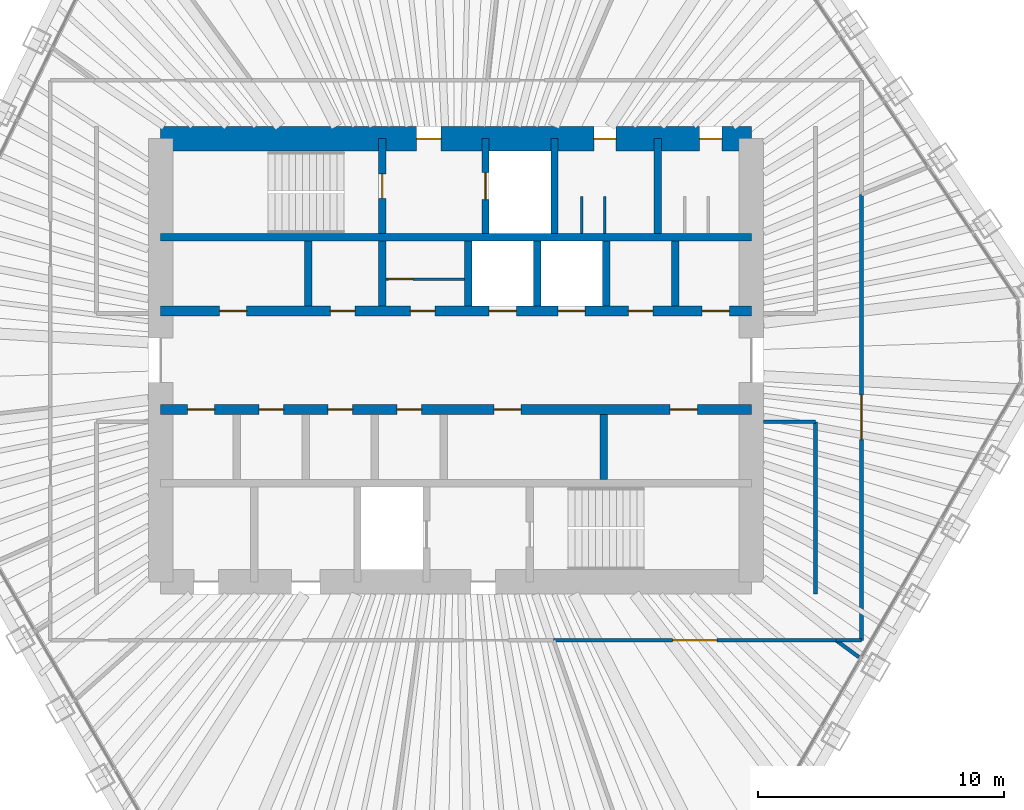
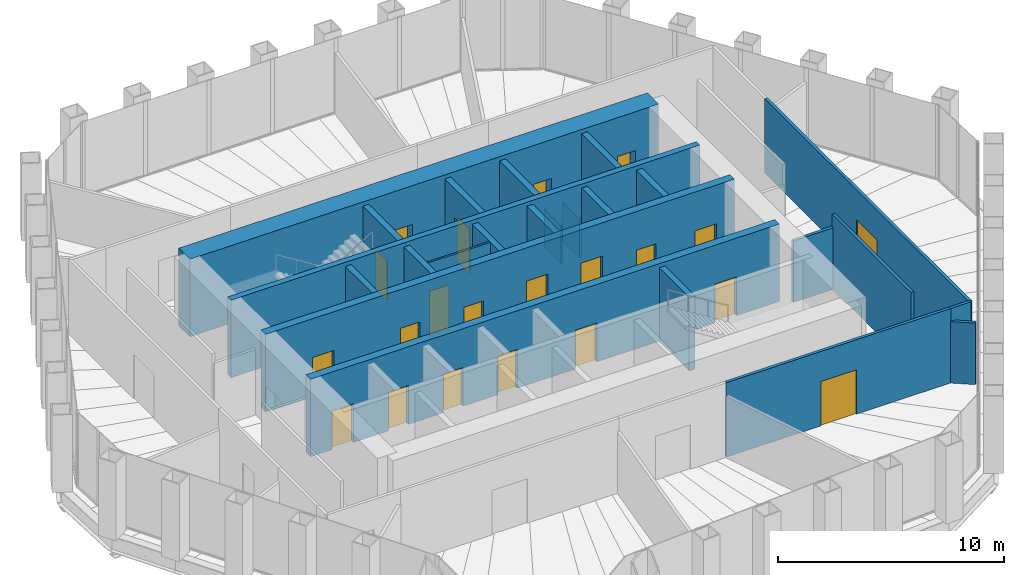
# One storey, part 12 of 14: 24 walls, 21 doors, 21 openings.
"""IFC4 building model written with IfcOpenShell, lengths in metres."""

from ifc_helpers import new_model, si_unit, direction, frame, frame_2d, origin, place, context, subcontext, project, spatial, rectangle, extrude, material, layer, layer_set, type_object, element, fill, save


model = new_model("IFC4")

# Units and contexts
model_context = context("Model", 3, precision=1e-05, world=origin(), true_north=direction((0.0, 1.0)))
body_context = subcontext(model_context, "Body", "Model", "MODEL_VIEW")
ifc_project = project(units=[si_unit("LENGTHUNIT", "METRE"), si_unit("AREAUNIT", "SQUARE_METRE"), si_unit("VOLUMEUNIT", "CUBIC_METRE"), si_unit("PLANEANGLEUNIT", "RADIAN"), si_unit("MASSUNIT", "GRAM", prefix="KILO")], contexts=[model_context])

# Site, building, storey
site_placement = place(None, origin())
site = spatial("IfcSite", under=ifc_project, at=site_placement, CompositionType="ELEMENT")
building_placement = place(site_placement, origin())
building = spatial("IfcBuilding", under=site, at=building_placement, Name="Qingtian Harvest Tower", CompositionType="ELEMENT")
storey_placement = place(building_placement, frame((0.0, 0.0, 287.199951171875)))
storey = spatial("IfcBuildingStorey", under=building, at=storey_placement, Name="L63", CompositionType="ELEMENT", Elevation=287.199951171875)

# Wall
ifc_material_1 = material(Name="Concrete fc' 70 MPa", Category="concrete")
ifc_layer_1 = layer(ifc_material_1, 0.300048828125)
ifc_layer_set_1 = layer_set([ifc_layer_1], Name="Core inner wall RC5 300")
wall_type_1 = type_object("IfcWallType", Name="Core inner wall RC5 300", PredefinedType="SHEAR", material=ifc_layer_set_1)
wall_1_placement = place(storey_placement, frame((-12.0, 5.0, 0.0), z_axis=(0.0, 0.0, 1.0), x_axis=(1.0, 0.0, 0.0)))
element("IfcWall", 1, at=wall_1_placement, inside=storey, type_object=wall_type_1, Name="Core wall IN5 L63", PredefinedType="SHEAR", context=body_context, shape_type="SweptSolid", body=[
    extrude(rectangle(XDim=24.0, YDim=0.300048828125, at=frame_2d((12.0, 0.0))), origin(), (0.0, 0.0, 1.0), 4.199951171875),
])

# Wall, openings, doors
ifc_material_2 = material(Name="Concrete fc' 70 MPa", Category="concrete")
ifc_layer_2 = layer(ifc_material_2, 0.39990234375)
ifc_layer_set_2 = layer_set([ifc_layer_2], Name="Core inner web RC6 400")
wall_type_2 = type_object("IfcWallType", Name="Core inner web RC6 400", PredefinedType="SHEAR", material=ifc_layer_set_2)
wall_2_placement = place(storey_placement, frame((-12.0, 2.0, 0.0), z_axis=(0.0, 0.0, 1.0), x_axis=(1.0, 0.0, 0.0)))
wall_2 = element("IfcWall", 2, at=wall_2_placement, inside=storey, type_object=wall_type_2, Name="Core wall IN2 L63", PredefinedType="SHEAR", context=body_context, shape_type="SweptSolid", body=[
    extrude(rectangle(XDim=24.0, YDim=0.39990234375, at=frame_2d((12.0, 0.0))), origin(), (0.0, 0.0, 1.0), 4.199951171875),
])
opening_1_placement = place(wall_2_placement, frame((2.39990234375, 0.0, 0.0)))
opening_1 = element("IfcOpeningElement", 3, at=opening_1_placement, cuts=wall_2, Name="Opening FD4", PredefinedType="OPENING", context=body_context, shape_type="SweptSolid", body=[
    extrude(rectangle(XDim=1.10009765625, YDim=2.10009765625, at=frame_2d((0.550048828125, 1.050048828125))), frame((0.0, 0.2099609375, 0.0), z_axis=(0.0, -1.0, 0.0), x_axis=(1.0, 0.0, 0.0)), (0.0, 0.0, 1.0), 0.419921875),
])
opening_2_placement = place(wall_2_placement, frame((22.0, 0.0, 0.0)))
opening_2 = element("IfcOpeningElement", 4, at=opening_2_placement, cuts=wall_2, Name="Opening FD4", PredefinedType="OPENING", context=body_context, shape_type="SweptSolid", body=[
    extrude(rectangle(XDim=1.10009765625, YDim=2.10009765625, at=frame_2d((0.550048828125, 1.050048828125))), frame((0.0, 0.2099609375, 0.0), z_axis=(0.0, -1.0, 0.0), x_axis=(1.0, 0.0, 0.0)), (0.0, 0.0, 1.0), 0.419921875),
])
opening_3_placement = place(wall_2_placement, frame((10.14990234375, 0.0, 0.0)))
opening_3 = element("IfcOpeningElement", 5, at=opening_3_placement, cuts=wall_2, Name="Opening FD1", PredefinedType="OPENING", context=body_context, shape_type="SweptSolid", body=[
    extrude(rectangle(XDim=1.0, YDim=2.10009765625, at=frame_2d((0.5, 1.050048828125))), frame((0.0, 0.2099609375, 0.0), z_axis=(0.0, -1.0, 0.0), x_axis=(1.0, 0.0, 0.0)), (0.0, 0.0, 1.0), 0.419921875),
])
opening_4_placement = place(wall_2_placement, frame((6.89990234375, 0.0, 0.0)))
opening_4 = element("IfcOpeningElement", 6, at=opening_4_placement, cuts=wall_2, Name="Opening FD1", PredefinedType="OPENING", context=body_context, shape_type="SweptSolid", body=[
    extrude(rectangle(XDim=1.0, YDim=2.10009765625, at=frame_2d((0.5, 1.050048828125))), frame((0.0, 0.2099609375, 0.0), z_axis=(0.0, -1.0, 0.0), x_axis=(1.0, 0.0, 0.0)), (0.0, 0.0, 1.0), 0.419921875),
])
opening_5_placement = place(wall_2_placement, frame((13.35009765625, 0.0, 0.0)))
opening_5 = element("IfcOpeningElement", 7, at=opening_5_placement, cuts=wall_2, Name="Opening LD1", PredefinedType="OPENING", context=body_context, shape_type="SweptSolid", body=[
    extrude(rectangle(XDim=1.10009765625, YDim=2.39990234375, at=frame_2d((0.550048828125, 1.199951171875))), frame((0.0, 0.2099609375, 0.0), z_axis=(0.0, -1.0, 0.0), x_axis=(1.0, 0.0, 0.0)), (0.0, 0.0, 1.0), 0.419921875),
])
opening_6_placement = place(wall_2_placement, frame((16.14990234375, 0.0, 0.0)))
opening_6 = element("IfcOpeningElement", 8, at=opening_6_placement, cuts=wall_2, Name="Opening LD1", PredefinedType="OPENING", context=body_context, shape_type="SweptSolid", body=[
    extrude(rectangle(XDim=1.10009765625, YDim=2.39990234375, at=frame_2d((0.550048828125, 1.199951171875))), frame((0.0, 0.2099609375, 0.0), z_axis=(0.0, -1.0, 0.0), x_axis=(1.0, 0.0, 0.0)), (0.0, 0.0, 1.0), 0.419921875),
])
opening_7_placement = place(wall_2_placement, frame((19.0, 0.0, 0.0)))
opening_7 = element("IfcOpeningElement", 9, at=opening_7_placement, cuts=wall_2, Name="Opening FD1", PredefinedType="OPENING", context=body_context, shape_type="SweptSolid", body=[
    extrude(rectangle(XDim=1.0, YDim=2.10009765625, at=frame_2d((0.5, 1.050048828125))), frame((0.0, 0.2099609375, 0.0), z_axis=(0.0, -1.0, 0.0), x_axis=(1.0, 0.0, 0.0)), (0.0, 0.0, 1.0), 0.419921875),
])
ifc_material_3 = material(Name="Steel-faced door leaf", Category="steel")
door_type_1 = type_object("IfcDoorType", Name="Fire door FD1 single 1 HR", OperationType="SINGLE_SWING_LEFT", PredefinedType="DOOR", material=ifc_material_3)
door_1_placement = place(opening_3_placement, origin())
door_1 = element("IfcDoor", 10, at=door_1_placement, inside=storey, type_object=door_type_1, Name="STA door L63", OperationType="SINGLE_SWING_LEFT", OverallHeight=2.10009765625, OverallWidth=1.0, PredefinedType="DOOR", context=body_context, shape_type="SweptSolid", body=[
    extrude(rectangle(XDim=1.0, YDim=2.10009765625, at=frame_2d((0.5, 1.050048828125))), frame((0.0, 0.02490234375, 0.0), z_axis=(0.0, -1.0, 0.0), x_axis=(1.0, 0.0, 0.0)), (0.0, 0.0, 1.0), 0.050048828125),
])
fill(opening_3, door_1)
door_2_placement = place(opening_4_placement, origin())
door_2 = element("IfcDoor", 11, at=door_2_placement, inside=storey, type_object=door_type_1, Name="IT room door L63", OperationType="SINGLE_SWING_LEFT", OverallHeight=2.10009765625, OverallWidth=1.0, PredefinedType="DOOR", context=body_context, shape_type="SweptSolid", body=[
    extrude(rectangle(XDim=1.0, YDim=2.10009765625, at=frame_2d((0.5, 1.050048828125))), frame((0.0, 0.02490234375, 0.0), z_axis=(0.0, -1.0, 0.0), x_axis=(1.0, 0.0, 0.0)), (0.0, 0.0, 1.0), 0.050048828125),
])
fill(opening_4, door_2)
door_3_placement = place(opening_7_placement, origin())
door_3 = element("IfcDoor", 12, at=door_3_placement, inside=storey, type_object=door_type_1, Name="Tool store door L63", OperationType="SINGLE_SWING_LEFT", OverallHeight=2.10009765625, OverallWidth=1.0, PredefinedType="DOOR", context=body_context, shape_type="SweptSolid", body=[
    extrude(rectangle(XDim=1.0, YDim=2.10009765625, at=frame_2d((0.5, 1.050048828125))), frame((0.0, 0.02490234375, 0.0), z_axis=(0.0, -1.0, 0.0), x_axis=(1.0, 0.0, 0.0)), (0.0, 0.0, 1.0), 0.050048828125),
])
fill(opening_7, door_3)
ifc_material_4 = material(Name="Steel-faced door leaf", Category="steel")
door_type_2 = type_object("IfcDoorType", Name="Fire door FD4 single 2 HR", OperationType="SINGLE_SWING_LEFT", PredefinedType="DOOR", material=ifc_material_4)
door_4_placement = place(opening_1_placement, origin())
door_4 = element("IfcDoor", 13, at=door_4_placement, inside=storey, type_object=door_type_2, Name="RA door L63", OperationType="SINGLE_SWING_RIGHT", OverallHeight=2.10009765625, OverallWidth=1.10009765625, PredefinedType="DOOR", context=body_context, shape_type="SweptSolid", body=[
    extrude(rectangle(XDim=1.10009765625, YDim=2.10009765625, at=frame_2d((0.550048828125, 1.050048828125))), frame((0.0, 0.02490234375, 0.0), z_axis=(0.0, -1.0, 0.0), x_axis=(1.0, 0.0, 0.0)), (0.0, 0.0, 1.0), 0.050048828125),
])
fill(opening_1, door_4)
door_5_placement = place(opening_2_placement, origin())
door_5 = element("IfcDoor", 14, at=door_5_placement, inside=storey, type_object=door_type_2, Name="AHU door L63", OperationType="SINGLE_SWING_RIGHT", OverallHeight=2.10009765625, OverallWidth=1.10009765625, PredefinedType="DOOR", context=body_context, shape_type="SweptSolid", body=[
    extrude(rectangle(XDim=1.10009765625, YDim=2.10009765625, at=frame_2d((0.550048828125, 1.050048828125))), frame((0.0, 0.02490234375, 0.0), z_axis=(0.0, -1.0, 0.0), x_axis=(1.0, 0.0, 0.0)), (0.0, 0.0, 1.0), 0.050048828125),
])
fill(opening_2, door_5)
ifc_material_5 = material(Name="Stainless steel lift landing door", Category="steel")
door_type_3 = type_object("IfcDoorType", Name="Lift landing door LD1 1 HR", OperationType="DOUBLE_DOOR_SLIDING", PredefinedType="DOOR", material=ifc_material_5)
door_6_placement = place(opening_5_placement, origin())
door_6 = element("IfcDoor", 15, at=door_6_placement, inside=storey, type_object=door_type_3, Name="PLD1 landing door L63", OperationType="DOUBLE_DOOR_SLIDING", OverallHeight=2.39990234375, OverallWidth=1.10009765625, PredefinedType="DOOR", context=body_context, shape_type="SweptSolid", body=[
    extrude(rectangle(XDim=1.10009765625, YDim=2.39990234375, at=frame_2d((0.550048828125, 1.199951171875))), frame((0.0, 0.02490234375, 0.0), z_axis=(0.0, -1.0, 0.0), x_axis=(1.0, 0.0, 0.0)), (0.0, 0.0, 1.0), 0.050048828125),
])
fill(opening_5, door_6)
door_7_placement = place(opening_6_placement, origin())
door_7 = element("IfcDoor", 16, at=door_7_placement, inside=storey, type_object=door_type_3, Name="PLD2 landing door L63", OperationType="DOUBLE_DOOR_SLIDING", OverallHeight=2.39990234375, OverallWidth=1.10009765625, PredefinedType="DOOR", context=body_context, shape_type="SweptSolid", body=[
    extrude(rectangle(XDim=1.10009765625, YDim=2.39990234375, at=frame_2d((0.550048828125, 1.199951171875))), frame((0.0, 0.02490234375, 0.0), z_axis=(0.0, -1.0, 0.0), x_axis=(1.0, 0.0, 0.0)), (0.0, 0.0, 1.0), 0.050048828125),
])
fill(opening_6, door_7)

wall_3_placement = place(storey_placement, frame((-12.0, -2.0, 0.0), z_axis=(0.0, 0.0, 1.0), x_axis=(1.0, 0.0, 0.0)))
wall_3 = element("IfcWall", 17, at=wall_3_placement, inside=storey, type_object=wall_type_2, Name="Core wall IS2 L63", PredefinedType="SHEAR", context=body_context, shape_type="SweptSolid", body=[
    extrude(rectangle(XDim=24.0, YDim=0.39990234375, at=frame_2d((12.0, 0.0))), origin(), (0.0, 0.0, 1.0), 4.199951171875),
])
opening_8_placement = place(wall_3_placement, frame((1.10009765625, 0.0, 0.0)))
opening_8 = element("IfcOpeningElement", 18, at=opening_8_placement, cuts=wall_3, Name="Opening FD4", PredefinedType="OPENING", context=body_context, shape_type="SweptSolid", body=[
    extrude(rectangle(XDim=1.10009765625, YDim=2.10009765625, at=frame_2d((0.550048828125, 1.050048828125))), frame((0.0, 0.2099609375, 0.0), z_axis=(0.0, -1.0, 0.0), x_axis=(1.0, 0.0, 0.0)), (0.0, 0.0, 1.0), 0.419921875),
])
opening_9_placement = place(wall_3_placement, frame((13.550048828125, 0.0, 0.0)))
opening_9 = element("IfcOpeningElement", 19, at=opening_9_placement, cuts=wall_3, Name="Opening FD4", PredefinedType="OPENING", context=body_context, shape_type="SweptSolid", body=[
    extrude(rectangle(XDim=1.10009765625, YDim=2.10009765625, at=frame_2d((0.550048828125, 1.050048828125))), frame((0.0, 0.2099609375, 0.0), z_axis=(0.0, -1.0, 0.0), x_axis=(1.0, 0.0, 0.0)), (0.0, 0.0, 1.0), 0.419921875),
])
opening_10_placement = place(wall_3_placement, frame((20.699951171875, 0.0, 0.0)))
opening_10 = element("IfcOpeningElement", 20, at=opening_10_placement, cuts=wall_3, Name="Opening FD4", PredefinedType="OPENING", context=body_context, shape_type="SweptSolid", body=[
    extrude(rectangle(XDim=1.10009765625, YDim=2.10009765625, at=frame_2d((0.550048828125, 1.050048828125))), frame((0.0, 0.2099609375, 0.0), z_axis=(0.0, -1.0, 0.0), x_axis=(1.0, 0.0, 0.0)), (0.0, 0.0, 1.0), 0.419921875),
])
opening_11_placement = place(wall_3_placement, frame((4.0, 0.0, 0.0)))
opening_11 = element("IfcOpeningElement", 21, at=opening_11_placement, cuts=wall_3, Name="Opening FD1", PredefinedType="OPENING", context=body_context, shape_type="SweptSolid", body=[
    extrude(rectangle(XDim=1.0, YDim=2.10009765625, at=frame_2d((0.5, 1.050048828125))), frame((0.0, 0.2099609375, 0.0), z_axis=(0.0, -1.0, 0.0), x_axis=(1.0, 0.0, 0.0)), (0.0, 0.0, 1.0), 0.419921875),
])
opening_12_placement = place(wall_3_placement, frame((6.800048828125, 0.0, 0.0)))
opening_12 = element("IfcOpeningElement", 22, at=opening_12_placement, cuts=wall_3, Name="Opening FD1", PredefinedType="OPENING", context=body_context, shape_type="SweptSolid", body=[
    extrude(rectangle(XDim=1.0, YDim=2.10009765625, at=frame_2d((0.5, 1.050048828125))), frame((0.0, 0.2099609375, 0.0), z_axis=(0.0, -1.0, 0.0), x_axis=(1.0, 0.0, 0.0)), (0.0, 0.0, 1.0), 0.419921875),
])
opening_13_placement = place(wall_3_placement, frame((9.60009765625, 0.0, 0.0)))
opening_13 = element("IfcOpeningElement", 23, at=opening_13_placement, cuts=wall_3, Name="Opening FD1", PredefinedType="OPENING", context=body_context, shape_type="SweptSolid", body=[
    extrude(rectangle(XDim=1.0, YDim=2.10009765625, at=frame_2d((0.5, 1.050048828125))), frame((0.0, 0.2099609375, 0.0), z_axis=(0.0, -1.0, 0.0), x_axis=(1.0, 0.0, 0.0)), (0.0, 0.0, 1.0), 0.419921875),
])
door_8_placement = place(opening_11_placement, origin())
door_8 = element("IfcDoor", 24, at=door_8_placement, inside=storey, type_object=door_type_1, Name="IT room door L63", OperationType="SINGLE_SWING_LEFT", OverallHeight=2.10009765625, OverallWidth=1.0, PredefinedType="DOOR", context=body_context, shape_type="SweptSolid", body=[
    extrude(rectangle(XDim=1.0, YDim=2.10009765625, at=frame_2d((0.5, 1.050048828125))), frame((0.0, 0.02490234375, 0.0), z_axis=(0.0, -1.0, 0.0), x_axis=(1.0, 0.0, 0.0)), (0.0, 0.0, 1.0), 0.050048828125),
])
fill(opening_11, door_8)
door_9_placement = place(opening_12_placement, origin())
door_9 = element("IfcDoor", 25, at=door_9_placement, inside=storey, type_object=door_type_1, Name="Store door L63", OperationType="SINGLE_SWING_LEFT", OverallHeight=2.10009765625, OverallWidth=1.0, PredefinedType="DOOR", context=body_context, shape_type="SweptSolid", body=[
    extrude(rectangle(XDim=1.0, YDim=2.10009765625, at=frame_2d((0.5, 1.050048828125))), frame((0.0, 0.02490234375, 0.0), z_axis=(0.0, -1.0, 0.0), x_axis=(1.0, 0.0, 0.0)), (0.0, 0.0, 1.0), 0.050048828125),
])
fill(opening_12, door_9)
door_10_placement = place(opening_13_placement, origin())
door_10 = element("IfcDoor", 26, at=door_10_placement, inside=storey, type_object=door_type_1, Name="Linen store door L63", OperationType="SINGLE_SWING_LEFT", OverallHeight=2.10009765625, OverallWidth=1.0, PredefinedType="DOOR", context=body_context, shape_type="SweptSolid", body=[
    extrude(rectangle(XDim=1.0, YDim=2.10009765625, at=frame_2d((0.5, 1.050048828125))), frame((0.0, 0.02490234375, 0.0), z_axis=(0.0, -1.0, 0.0), x_axis=(1.0, 0.0, 0.0)), (0.0, 0.0, 1.0), 0.050048828125),
])
fill(opening_13, door_10)
door_11_placement = place(opening_8_placement, origin())
door_11 = element("IfcDoor", 27, at=door_11_placement, inside=storey, type_object=door_type_2, Name="RB door L63", OperationType="SINGLE_SWING_RIGHT", OverallHeight=2.10009765625, OverallWidth=1.10009765625, PredefinedType="DOOR", context=body_context, shape_type="SweptSolid", body=[
    extrude(rectangle(XDim=1.10009765625, YDim=2.10009765625, at=frame_2d((0.550048828125, 1.050048828125))), frame((0.0, 0.02490234375, 0.0), z_axis=(0.0, -1.0, 0.0), x_axis=(1.0, 0.0, 0.0)), (0.0, 0.0, 1.0), 0.050048828125),
])
fill(opening_8, door_11)
door_12_placement = place(opening_9_placement, origin())
door_12 = element("IfcDoor", 28, at=door_12_placement, inside=storey, type_object=door_type_2, Name="ELEC door L63", OperationType="SINGLE_SWING_LEFT", OverallHeight=2.10009765625, OverallWidth=1.10009765625, PredefinedType="DOOR", context=body_context, shape_type="SweptSolid", body=[
    extrude(rectangle(XDim=1.10009765625, YDim=2.10009765625, at=frame_2d((0.550048828125, 1.050048828125))), frame((0.0, 0.02490234375, 0.0), z_axis=(0.0, -1.0, 0.0), x_axis=(1.0, 0.0, 0.0)), (0.0, 0.0, 1.0), 0.050048828125),
])
fill(opening_9, door_12)
door_13_placement = place(opening_10_placement, origin())
door_13 = element("IfcDoor", 29, at=door_13_placement, inside=storey, type_object=door_type_2, Name="DUCT door L63", OperationType="SINGLE_SWING_RIGHT", OverallHeight=2.10009765625, OverallWidth=1.10009765625, PredefinedType="DOOR", context=body_context, shape_type="SweptSolid", body=[
    extrude(rectangle(XDim=1.10009765625, YDim=2.10009765625, at=frame_2d((0.550048828125, 1.050048828125))), frame((0.0, 0.02490234375, 0.0), z_axis=(0.0, -1.0, 0.0), x_axis=(1.0, 0.0, 0.0)), (0.0, 0.0, 1.0), 0.050048828125),
])
fill(opening_10, door_13)

# Wall, opening, door
ifc_material_6 = material(Name="Precast concrete shaft panel", Category="concrete")
ifc_layer_3 = layer(ifc_material_6, 0.300048828125)
ifc_layer_set_3 = layer_set([ifc_layer_3], Name="Core shaft partition SW1 300")
wall_type_3 = type_object("IfcWallType", Name="Core shaft partition SW1 300", PredefinedType="PARTITIONING", material=ifc_layer_set_3)
wall_4_placement = place(storey_placement, frame((-3.0, 5.14990234375, 0.0), z_axis=(0.0, 0.0, 1.0), x_axis=(0.0, 1.0, 0.0)))
wall_4 = element("IfcWall", 30, at=wall_4_placement, inside=storey, type_object=wall_type_3, Name="Core shaft partition XN1 L63", PredefinedType="PARTITIONING", context=body_context, shape_type="SweptSolid", body=[
    extrude(rectangle(XDim=3.85009765625, YDim=0.300048828125, at=frame_2d((1.925048828125, 0.0))), origin(), (0.0, 0.0, 1.0), 3.97998046875),
])
opening_14_placement = place(wall_4_placement, frame((1.425048828125, 0.0, 0.0)))
opening_14 = element("IfcOpeningElement", 31, at=opening_14_placement, cuts=wall_4, Name="Opening FD1", PredefinedType="OPENING", context=body_context, shape_type="SweptSolid", body=[
    extrude(rectangle(XDim=1.0, YDim=2.10009765625, at=frame_2d((0.5, 1.050048828125))), frame((0.0, 0.159912109375, 0.0), z_axis=(0.0, -1.0, 0.0), x_axis=(1.0, 0.0, 0.0)), (0.0, 0.0, 1.0), 0.320068359375),
])
door_14_placement = place(opening_14_placement, origin())
door_14 = element("IfcDoor", 32, at=door_14_placement, inside=storey, type_object=door_type_1, Name="S1 door L63", OperationType="SINGLE_SWING_RIGHT", OverallHeight=2.10009765625, OverallWidth=1.0, PredefinedType="DOOR", context=body_context, shape_type="SweptSolid", body=[
    extrude(rectangle(XDim=1.0, YDim=2.10009765625, at=frame_2d((0.5, 1.050048828125))), frame((0.0, 0.02490234375, 0.0), z_axis=(0.0, -1.0, 0.0), x_axis=(1.0, 0.0, 0.0)), (0.0, 0.0, 1.0), 0.050048828125),
])
fill(opening_14, door_14)

wall_5_placement = place(storey_placement, frame((1.199951171875, 5.14990234375, 0.0), z_axis=(0.0, 0.0, 1.0), x_axis=(0.0, 1.0, 0.0)))
wall_5 = element("IfcWall", 33, at=wall_5_placement, inside=storey, type_object=wall_type_3, Name="Core shaft partition XN2 L63", PredefinedType="PARTITIONING", context=body_context, shape_type="SweptSolid", body=[
    extrude(rectangle(XDim=3.85009765625, YDim=0.300048828125, at=frame_2d((1.925048828125, 0.0))), origin(), (0.0, 0.0, 1.0), 3.97998046875),
])
opening_15_placement = place(wall_5_placement, frame((1.375, 0.0, 0.0)))
opening_15 = element("IfcOpeningElement", 34, at=opening_15_placement, cuts=wall_5, Name="Opening LD1", PredefinedType="OPENING", context=body_context, shape_type="SweptSolid", body=[
    extrude(rectangle(XDim=1.10009765625, YDim=2.39990234375, at=frame_2d((0.550048828125, 1.199951171875))), frame((0.0, 0.159912109375, 0.0), z_axis=(0.0, -1.0, 0.0), x_axis=(1.0, 0.0, 0.0)), (0.0, 0.0, 1.0), 0.320068359375),
])
door_15_placement = place(opening_15_placement, origin())
door_15 = element("IfcDoor", 35, at=door_15_placement, inside=storey, type_object=door_type_3, Name="FL1 landing door L63", OperationType="DOUBLE_DOOR_SLIDING", OverallHeight=2.39990234375, OverallWidth=1.10009765625, PredefinedType="DOOR", context=body_context, shape_type="SweptSolid", body=[
    extrude(rectangle(XDim=1.10009765625, YDim=2.39990234375, at=frame_2d((0.550048828125, 1.199951171875))), frame((0.0, 0.02490234375, 0.0), z_axis=(0.0, -1.0, 0.0), x_axis=(1.0, 0.0, 0.0)), (0.0, 0.0, 1.0), 0.050048828125),
])
fill(opening_15, door_15)

# Walls
for number, where, z_axis, x_axis, name in (
    (36, (4.0, 5.14990234375, 0.0), (0.0, 0.0, 1.0), (0.0, 1.0, 0.0), "Core shaft partition XN3 L63"),
    (37, (8.199951171875, 5.14990234375, 0.0), (0.0, 0.0, 1.0), (0.0, 1.0, 0.0), "Core shaft partition XN4 L63"),
):
    element("IfcWall", number, at=place(storey_placement, frame(where, z_axis=z_axis, x_axis=x_axis)), inside=storey, type_object=wall_type_3, Name=name, PredefinedType="PARTITIONING", context=body_context, shape_type="SweptSolid", body=[
        extrude(rectangle(XDim=3.85009765625, YDim=0.300048828125, at=frame_2d((1.925048828125, 0.0))), origin(), (0.0, 0.0, 1.0), 3.97998046875),
    ])
for number, where, z_axis, x_axis, name in (
    (38, (-6.0, 2.199951171875, 0.0), (0.0, 0.0, 1.0), (0.0, 1.0, 0.0), "Core shaft partition XA1 L63"),
    (39, (-3.0, 2.199951171875, 0.0), (0.0, 0.0, 1.0), (0.0, 1.0, 0.0), "Core shaft partition XA2 L63"),
    (40, (0.5, 2.199951171875, 0.0), (0.0, 0.0, 1.0), (0.0, 1.0, 0.0), "Core shaft partition XA3 L63"),
    (41, (3.300048828125, 2.199951171875, 0.0), (0.0, 0.0, 1.0), (0.0, 1.0, 0.0), "Core shaft partition XA4 L63"),
    (42, (6.10009765625, 2.199951171875, 0.0), (0.0, 0.0, 1.0), (0.0, 1.0, 0.0), "Core shaft partition XA5 L63"),
    (43, (8.89990234375, 2.199951171875, 0.0), (0.0, 0.0, 1.0), (0.0, 1.0, 0.0), "Core shaft partition XA6 L63"),
    (44, (6.0, -4.85009765625, 0.0), (0.0, 0.0, 1.0), (0.0, 1.0, 0.0), "Core shaft partition XB5 L63"),
):
    element("IfcWall", number, at=place(storey_placement, frame(where, z_axis=z_axis, x_axis=x_axis)), inside=storey, type_object=wall_type_3, Name=name, PredefinedType="PARTITIONING", context=body_context, shape_type="SweptSolid", body=[
        extrude(rectangle(XDim=2.650146484375, YDim=0.300048828125, at=frame_2d((1.3251953125, 0.0))), origin(), (0.0, 0.0, 1.0), 3.97998046875),
    ])

# Wall, openings, doors
ifc_material_7 = material(Name="Concrete fc' 70 MPa", Category="concrete")
ifc_layer_4 = layer(ifc_material_7, 1.0)
ifc_layer_set_4 = layer_set([ifc_layer_4], Name="Core wall RC3 1000")
wall_type_4 = type_object("IfcWallType", Name="Core wall RC3 1000", PredefinedType="SHEAR", material=ifc_layer_set_4)
wall_6_placement = place(storey_placement, frame((-12.0, 9.0, 0.0), z_axis=(0.0, 0.0, 1.0), x_axis=(1.0, 0.0, 0.0)))
wall_6 = element("IfcWall", 45, at=wall_6_placement, inside=storey, type_object=wall_type_4, Name="Core wall CN L63", PredefinedType="SHEAR", context=body_context, shape_type="SweptSolid", body=[
    extrude(rectangle(XDim=24.0, YDim=1.0, at=frame_2d((12.0, 0.0))), origin(), (0.0, 0.0, 1.0), 4.199951171875),
])
opening_16_placement = place(wall_6_placement, frame((10.39990234375, 0.0, 0.0)))
opening_16 = element("IfcOpeningElement", 46, at=opening_16_placement, cuts=wall_6, Name="Opening FD1", PredefinedType="OPENING", context=body_context, shape_type="SweptSolid", body=[
    extrude(rectangle(XDim=1.0, YDim=2.10009765625, at=frame_2d((0.5, 1.050048828125))), frame((0.0, 0.510009765625, 0.0), z_axis=(0.0, -1.0, 0.0), x_axis=(1.0, 0.0, 0.0)), (0.0, 0.0, 1.0), 1.02001953125),
])
opening_17_placement = place(wall_6_placement, frame((17.60009765625, 0.0, 0.0)))
opening_17 = element("IfcOpeningElement", 47, at=opening_17_placement, cuts=wall_6, Name="Opening D1", PredefinedType="OPENING", context=body_context, shape_type="SweptSolid", body=[
    extrude(rectangle(XDim=0.89990234375, YDim=2.10009765625, at=frame_2d((0.449951171875, 1.050048828125))), frame((0.0, 0.510009765625, 0.0), z_axis=(0.0, -1.0, 0.0), x_axis=(1.0, 0.0, 0.0)), (0.0, 0.0, 1.0), 1.02001953125),
])
opening_18_placement = place(wall_6_placement, frame((21.89990234375, 0.0, 0.0)))
opening_18 = element("IfcOpeningElement", 48, at=opening_18_placement, cuts=wall_6, Name="Opening D1", PredefinedType="OPENING", context=body_context, shape_type="SweptSolid", body=[
    extrude(rectangle(XDim=0.89990234375, YDim=2.10009765625, at=frame_2d((0.449951171875, 1.050048828125))), frame((0.0, 0.510009765625, 0.0), z_axis=(0.0, -1.0, 0.0), x_axis=(1.0, 0.0, 0.0)), (0.0, 0.0, 1.0), 1.02001953125),
])
door_16_placement = place(opening_16_placement, origin())
door_16 = element("IfcDoor", 49, at=door_16_placement, inside=storey, type_object=door_type_1, Name="V1 door L63", OperationType="SINGLE_SWING_RIGHT", OverallHeight=2.10009765625, OverallWidth=1.0, PredefinedType="DOOR", context=body_context, shape_type="SweptSolid", body=[
    extrude(rectangle(XDim=1.0, YDim=2.10009765625, at=frame_2d((0.5, 1.050048828125))), frame((0.0, 0.02490234375, 0.0), z_axis=(0.0, -1.0, 0.0), x_axis=(1.0, 0.0, 0.0)), (0.0, 0.0, 1.0), 0.050048828125),
])
fill(opening_16, door_16)
ifc_material_8 = material(Name="Laminated timber door leaf", Category="wood")
door_type_4 = type_object("IfcDoorType", Name="Toilet door D1 single", OperationType="SINGLE_SWING_LEFT", PredefinedType="DOOR", material=ifc_material_8)
door_17_placement = place(opening_17_placement, origin())
door_17 = element("IfcDoor", 50, at=door_17_placement, inside=storey, type_object=door_type_4, Name="WCM door L63", OperationType="SINGLE_SWING_LEFT", OverallHeight=2.10009765625, OverallWidth=0.89990234375, PredefinedType="DOOR", context=body_context, shape_type="SweptSolid", body=[
    extrude(rectangle(XDim=0.89990234375, YDim=2.10009765625, at=frame_2d((0.449951171875, 1.050048828125))), frame((0.0, 0.02490234375, 0.0), z_axis=(0.0, -1.0, 0.0), x_axis=(1.0, 0.0, 0.0)), (0.0, 0.0, 1.0), 0.050048828125),
])
fill(opening_17, door_17)
door_18_placement = place(opening_18_placement, origin())
door_18 = element("IfcDoor", 51, at=door_18_placement, inside=storey, type_object=door_type_4, Name="WCF door L63", OperationType="SINGLE_SWING_LEFT", OverallHeight=2.10009765625, OverallWidth=0.89990234375, PredefinedType="DOOR", context=body_context, shape_type="SweptSolid", body=[
    extrude(rectangle(XDim=0.89990234375, YDim=2.10009765625, at=frame_2d((0.449951171875, 1.050048828125))), frame((0.0, 0.02490234375, 0.0), z_axis=(0.0, -1.0, 0.0), x_axis=(1.0, 0.0, 0.0)), (0.0, 0.0, 1.0), 0.050048828125),
])
fill(opening_18, door_18)

# Wall, opening, door
ifc_material_9 = material(Name="Gypsum board on steel studs", Category="steel")
ifc_layer_5 = layer(ifc_material_9, 0.14990234375)
ifc_layer_set_5 = layer_set([ifc_layer_5], Name="Partition PT1 150")
wall_type_5 = type_object("IfcWallType", Name="Partition PT1 150", PredefinedType="PARTITIONING", material=ifc_layer_set_5)
wall_7_placement = place(storey_placement, frame((16.47509765625, 6.736572265625, 0.0), z_axis=(0.0, 0.0, 1.0), x_axis=(0.0, -1.0, 0.0)))
wall_7 = element("IfcWall", 52, at=wall_7_placement, inside=storey, type_object=wall_type_5, Name="Tenant lounge wall L63", PredefinedType="PARTITIONING", context=body_context, shape_type="SweptSolid", body=[
    extrude(rectangle(XDim=18.111572265625, YDim=0.14990234375, at=frame_2d((9.0556640625, 0.0))), origin(), (0.0, 0.0, 1.0), 4.030029296875),
])
opening_19_placement = place(wall_7_placement, frame((8.15576171875, 0.0, 0.0)))
opening_19 = element("IfcOpeningElement", 53, at=opening_19_placement, cuts=wall_7, Name="Opening D3", PredefinedType="OPENING", context=body_context, shape_type="SweptSolid", body=[
    extrude(rectangle(XDim=1.800048828125, YDim=2.39990234375, at=frame_2d((0.89990234375, 1.199951171875))), frame((0.0, 0.0849609375, 0.0), z_axis=(0.0, -1.0, 0.0), x_axis=(1.0, 0.0, 0.0)), (0.0, 0.0, 1.0), 0.169921875),
])
ifc_material_10 = material(Name="Laminated timber door leaf", Category="wood")
door_type_5 = type_object("IfcDoorType", Name="Room door D3 double", OperationType="DOUBLE_DOOR_DOUBLE_SWING", PredefinedType="DOOR", material=ifc_material_10)
door_19_placement = place(opening_19_placement, origin())
door_19 = element("IfcDoor", 54, at=door_19_placement, inside=storey, type_object=door_type_5, Name="Tenant lounge door L63", OperationType="DOUBLE_DOOR_DOUBLE_SWING", OverallHeight=2.39990234375, OverallWidth=1.800048828125, PredefinedType="DOOR", context=body_context, shape_type="SweptSolid", body=[
    extrude(rectangle(XDim=1.800048828125, YDim=2.39990234375, at=frame_2d((0.89990234375, 1.199951171875))), frame((0.0, 0.02490234375, 0.0), z_axis=(0.0, -1.0, 0.0), x_axis=(1.0, 0.0, 0.0)), (0.0, 0.0, 1.0), 0.050048828125),
])
fill(opening_19, door_19)

# Walls
wall_8_placement = place(storey_placement, frame((16.47509765625, -11.375, 0.0), z_axis=(0.0, 0.0, 1.0), x_axis=(-1.0, 0.0, 0.0)))
element("IfcWall", 55, at=wall_8_placement, inside=storey, type_object=wall_type_5, Name="Tenant lounge wall L63", PredefinedType="PARTITIONING", context=body_context, shape_type="SweptSolid", body=[
    extrude(rectangle(XDim=1.03515625, YDim=0.14990234375, at=frame_2d((0.517578125, 0.0))), origin(), (0.0, 0.0, 1.0), 4.030029296875),
])
wall_9_placement = place(storey_placement, frame((16.364990234375, -12.056396484375, 0.0), z_axis=(0.0, 0.0, 1.0), x_axis=(-0.805146625055, 0.593075806421, 0.0)))
element("IfcWall", 56, at=wall_9_placement, inside=storey, type_object=wall_type_5, Name="Tasting room wall L63", PredefinedType="PARTITIONING", context=body_context, shape_type="SweptSolid", body=[
    extrude(rectangle(XDim=1.14892578125, YDim=0.14990234375, at=frame_2d((0.574462890625, 0.0))), origin(), (0.0, 0.0, 1.0), 3.330078125),
])

# Wall, opening, door
wall_10_placement = place(storey_placement, frame((15.43994140625, -11.375, 0.0), z_axis=(0.0, 0.0, 1.0), x_axis=(-1.0, 0.0, 0.0)))
wall_10 = element("IfcWall", 57, at=wall_10_placement, inside=storey, type_object=wall_type_5, Name="Tasting room wall L63", PredefinedType="PARTITIONING", context=body_context, shape_type="SweptSolid", body=[
    extrude(rectangle(XDim=11.477294921875, YDim=0.14990234375, at=frame_2d((5.73876953125, 0.0))), origin(), (0.0, 0.0, 1.0), 4.030029296875),
])
opening_20_placement = place(wall_10_placement, frame((4.838623046875, 0.0, 0.0)))
opening_20 = element("IfcOpeningElement", 58, at=opening_20_placement, cuts=wall_10, Name="Opening D3", PredefinedType="OPENING", context=body_context, shape_type="SweptSolid", body=[
    extrude(rectangle(XDim=1.800048828125, YDim=2.39990234375, at=frame_2d((0.89990234375, 1.199951171875))), frame((0.0, 0.0849609375, 0.0), z_axis=(0.0, -1.0, 0.0), x_axis=(1.0, 0.0, 0.0)), (0.0, 0.0, 1.0), 0.169921875),
])
door_20_placement = place(opening_20_placement, origin())
door_20 = element("IfcDoor", 59, at=door_20_placement, inside=storey, type_object=door_type_5, Name="Tasting room door L63", OperationType="DOUBLE_DOOR_DOUBLE_SWING", OverallHeight=2.39990234375, OverallWidth=1.800048828125, PredefinedType="DOOR", context=body_context, shape_type="SweptSolid", body=[
    extrude(rectangle(XDim=1.800048828125, YDim=2.39990234375, at=frame_2d((0.89990234375, 1.199951171875))), frame((0.0, 0.02490234375, 0.0), z_axis=(0.0, -1.0, 0.0), x_axis=(1.0, 0.0, 0.0)), (0.0, 0.0, 1.0), 0.050048828125),
])
fill(opening_20, door_20)

# Walls
wall_11_placement = place(storey_placement, frame((14.60009765625, -9.5, 0.0), z_axis=(0.0, 0.0, 1.0), x_axis=(0.0, 1.0, 0.0)))
element("IfcWall", 60, at=wall_11_placement, inside=storey, type_object=wall_type_5, Name="Print area wall L63", PredefinedType="PARTITIONING", context=body_context, shape_type="SweptSolid", body=[
    extrude(rectangle(XDim=7.0, YDim=0.14990234375, at=frame_2d((3.5, 0.0))), origin(), (0.0, 0.0, 1.0), 4.030029296875),
])
wall_12_placement = place(storey_placement, frame((12.5, -2.5, 0.0), z_axis=(0.0, 0.0, 1.0), x_axis=(1.0, 0.0, 0.0)))
element("IfcWall", 61, at=wall_12_placement, inside=storey, type_object=wall_type_5, Name="Print area wall L63", PredefinedType="PARTITIONING", context=body_context, shape_type="SweptSolid", body=[
    extrude(rectangle(XDim=2.10009765625, YDim=0.14990234375, at=frame_2d((1.050048828125, 0.0))), origin(), (0.0, 0.0, 1.0), 3.330078125),
])

# Wall, opening, door
ifc_material_11 = material(Name="Concrete block partition", Category="concrete")
ifc_layer_6 = layer(ifc_material_11, 0.10009765625)
ifc_layer_set_6 = layer_set([ifc_layer_6], Name="Store partition PT3 100")
wall_type_6 = type_object("IfcWallType", Name="Store partition PT3 100", PredefinedType="PARTITIONING", material=ifc_layer_set_6)
wall_13_placement = place(storey_placement, frame((-2.85009765625, 3.300048828125, 0.0), z_axis=(0.0, 0.0, 1.0), x_axis=(1.0, 0.0, 0.0)))
wall_13 = element("IfcWall", 62, at=wall_13_placement, inside=storey, type_object=wall_type_6, Name="Archive store wall L63", PredefinedType="PARTITIONING", context=body_context, shape_type="SweptSolid", body=[
    extrude(rectangle(XDim=3.2001953125, YDim=0.10009765625, at=frame_2d((1.60009765625, 0.0))), origin(), (0.0, 0.0, 1.0), 3.97998046875),
])
opening_21_placement = place(wall_13_placement, frame((0.10009765625, 0.0, 0.0)))
opening_21 = element("IfcOpeningElement", 63, at=opening_21_placement, cuts=wall_13, Name="Opening D2", PredefinedType="OPENING", context=body_context, shape_type="SweptSolid", body=[
    extrude(rectangle(XDim=1.0, YDim=2.39990234375, at=frame_2d((0.5, 1.199951171875))), frame((0.0, 0.06005859375, 0.0), z_axis=(0.0, -1.0, 0.0), x_axis=(1.0, 0.0, 0.0)), (0.0, 0.0, 1.0), 0.1201171875),
])
ifc_material_12 = material(Name="Laminated timber door leaf", Category="wood")
door_type_6 = type_object("IfcDoorType", Name="Room door D2 single", OperationType="SINGLE_SWING_LEFT", PredefinedType="DOOR", material=ifc_material_12)
door_21_placement = place(opening_21_placement, origin())
door_21 = element("IfcDoor", 64, at=door_21_placement, inside=storey, type_object=door_type_6, Name="Archive store door L63", OperationType="SINGLE_SWING_LEFT", OverallHeight=2.39990234375, OverallWidth=1.0, PredefinedType="DOOR", context=body_context, shape_type="SweptSolid", body=[
    extrude(rectangle(XDim=1.0, YDim=2.39990234375, at=frame_2d((0.5, 1.199951171875))), frame((0.0, 0.02490234375, 0.0), z_axis=(0.0, -1.0, 0.0), x_axis=(1.0, 0.0, 0.0)), (0.0, 0.0, 1.0), 0.050048828125),
])
fill(opening_21, door_21)

# Walls
ifc_material_13 = material(Name="Compact laminate cubicle partition", Category="plastic")
ifc_layer_7 = layer(ifc_material_13, 0.10009765625)
ifc_layer_set_7 = layer_set([ifc_layer_7], Name="WC cubicle partition WP1 100")
wall_type_7 = type_object("IfcWallType", Name="WC cubicle partition WP1 100", PredefinedType="PARTITIONING", material=ifc_layer_set_7)
for number, where, z_axis, x_axis, name in (
    (65, (5.10009765625, 5.14990234375, 0.0), (0.0, 0.0, 1.0), (0.0, 1.0, 0.0), "WC cubicle partition WCM L63"),
    (66, (6.050048828125, 5.14990234375, 0.0), (0.0, 0.0, 1.0), (0.0, 1.0, 0.0), "WC cubicle partition WCM L63"),
):
    element("IfcWall", number, at=place(storey_placement, frame(where, z_axis=z_axis, x_axis=x_axis)), inside=storey, type_object=wall_type_7, Name=name, PredefinedType="PARTITIONING", context=body_context, shape_type="SweptSolid", body=[
        extrude(rectangle(XDim=1.5, YDim=0.10009765625, at=frame_2d((0.75, 0.0))), origin(), (0.0, 0.0, 1.0), 2.10009765625),
    ])

save(model, "model.ifc")
